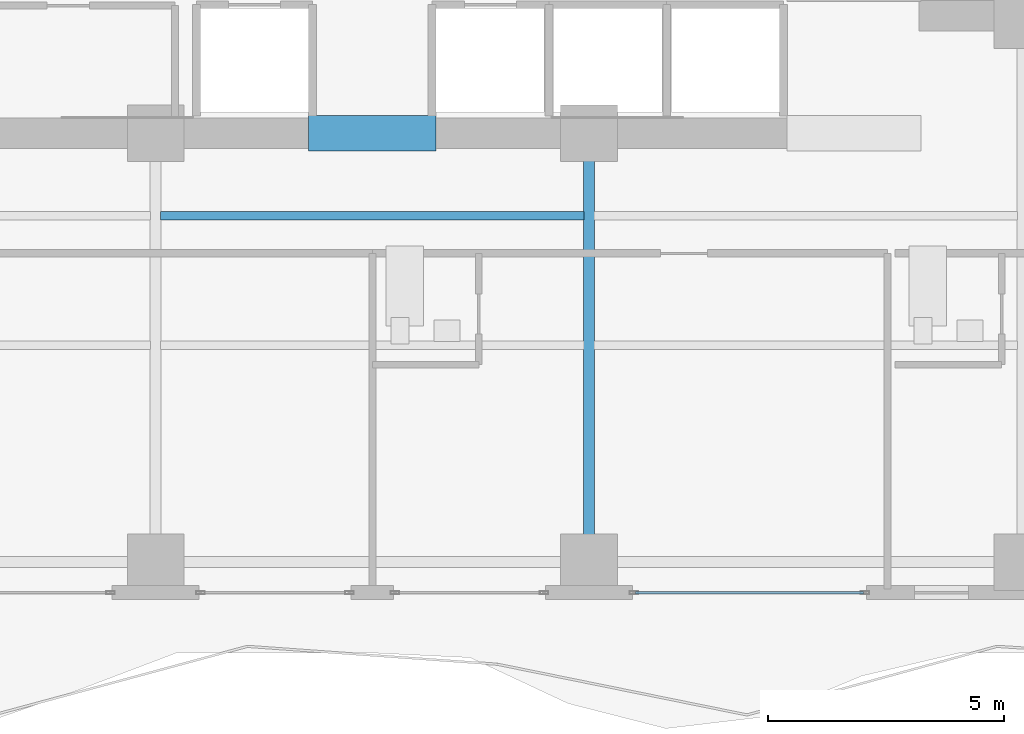
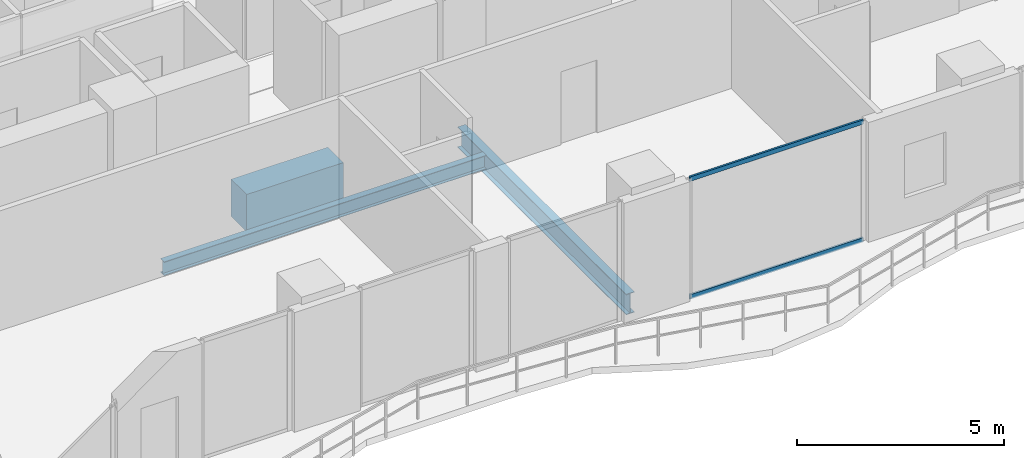
# One storey, part 7 of 32: 3 beams, 2 members, 1 element without a shape of its own.
"""IFC4 building model written with IfcOpenShell, lengths in metres."""

from ifc_helpers import new_model, si_unit, direction, frame, origin, origin_2d, place, context, subcontext, project, spatial, rectangle, hollow_rectangle, i_section, extrude, material, layer, layer_set, material_profile, profile_set, type_object, element, aggregate, save


model = new_model("IFC4")

# Units and contexts
model_context = context("Model", 3, precision=1e-05, world=origin(), true_north=direction((0.0, 1.0)))
body_context = subcontext(model_context, "Body", "Model", "MODEL_VIEW")
ifc_project = project(units=[si_unit("LENGTHUNIT", "METRE"), si_unit("AREAUNIT", "SQUARE_METRE"), si_unit("VOLUMEUNIT", "CUBIC_METRE"), si_unit("PLANEANGLEUNIT", "RADIAN"), si_unit("MASSUNIT", "GRAM", prefix="KILO")], contexts=[model_context])

# Site, building, storey
site_placement = place(None, origin())
site = spatial("IfcSite", under=ifc_project, at=site_placement, CompositionType="ELEMENT")
building_placement = place(site_placement, origin())
building = spatial("IfcBuilding", under=site, at=building_placement, Name="Zuhayl Quay Hotel", CompositionType="ELEMENT")
storey_placement = place(building_placement, frame((0.0, 0.0, 218.64990234375)))
storey = spatial("IfcBuildingStorey", under=building, at=storey_placement, Name="L55", CompositionType="ELEMENT", Elevation=218.64990234375)

# Beams
ifc_material_1 = material(Name="Steel ASTM A992 Grade 50", Category="steel")
ifc_material_profile_1 = material_profile(ifc_material_1, i_section(OverallWidth=0.22802734375, OverallDepth=0.60693359375, WebThickness=0.01123046875, FlangeThickness=0.017333984375, at=origin_2d()), Name="W24X76")
ifc_profile_set_1 = profile_set([ifc_material_profile_1], Name="Steel ASTM A992 Grade 50")
beam_type_1 = type_object("IfcBeamType", Name="BM_B3_W24X76", PredefinedType="BEAM", material=ifc_profile_set_1)
beam_1_placement = place(storey_placement, frame((4.60009765625, -6.449951171875, -0.5234375), z_axis=(0.0, 1.0, 0.0), x_axis=(-1.0, 0.0, 0.0)))
element("IfcBeam", 1, at=beam_1_placement, inside=storey, type_object=beam_type_1, Name="L55 Floor Beam FG_S_L55_3", PredefinedType="BEAM", context=body_context, shape_type="SweptSolid", body=[
    extrude(i_section(OverallWidth=0.22802734375, OverallDepth=0.60693359375, WebThickness=0.01123046875, FlangeThickness=0.017333984375, at=origin_2d()), origin(), (0.0, 0.0, 1.0), 8.14990234375),
])
ifc_material_2 = material(Name="Concrete C60/75", Category="concrete")
ifc_material_profile_2 = material_profile(ifc_material_2, rectangle(XDim=0.75, YDim=1.10009765625, at=origin_2d()), Name="RC750X1100")
ifc_profile_set_2 = profile_set([ifc_material_profile_2], Name="Concrete C60/75")
beam_type_2 = type_object("IfcBeamType", Name="BM_CB2_RC750", PredefinedType="T_BEAM", material=ifc_profile_set_2)
beam_2_placement = place(storey_placement, frame((-1.35009765625, 2.14990234375, -0.77001953125), z_axis=(1.0, 0.0, 0.0), x_axis=(0.0, 1.0, 0.0)))
element("IfcBeam", 2, at=beam_2_placement, inside=storey, type_object=beam_type_2, Name="L55 Core Coupling Beam South", PredefinedType="T_BEAM", context=body_context, shape_type="SweptSolid", body=[
    extrude(rectangle(XDim=0.75, YDim=1.10009765625, at=origin_2d()), origin(), (0.0, 0.0, 1.0), 2.7001953125),
])
ifc_material_profile_3 = material_profile(ifc_material_1, i_section(OverallWidth=0.177978515625, OverallDepth=0.406005859375, WebThickness=0.0078125, FlangeThickness=0.0126953125, at=origin_2d()), Name="W16X40")
ifc_profile_set_3 = profile_set([ifc_material_profile_3], Name="Steel ASTM A992 Grade 50")
beam_type_3 = type_object("IfcBeamType", Name="BM_J2B_W16X40", PredefinedType="JOIST", material=ifc_profile_set_3)
beam_3_placement = place(storey_placement, frame((-4.493896484375, 0.39990234375, -0.4228515625), z_axis=(1.0, 0.0, 0.0), x_axis=(0.0, 1.0, 0.0)))
element("IfcBeam", 3, at=beam_3_placement, inside=storey, type_object=beam_type_3, Name="L55 Floor Beam FJ_L55_8_2", PredefinedType="JOIST", context=body_context, shape_type="SweptSolid", body=[
    extrude(i_section(OverallWidth=0.177978515625, OverallDepth=0.406005859375, WebThickness=0.0078125, FlangeThickness=0.0126953125, at=origin_2d()), origin(), (0.0, 0.0, 1.0), 8.98779296875),
])

# Curtain wall, members
ifc_material_3 = material(Name="Anodised Aluminium 6063-T6", Category="aluminium")
ifc_layer = layer(ifc_material_3, 0.175048828125, Name="Anodised Aluminium 6063-T6", Category="aluminium")
ifc_layer_set = layer_set([ifc_layer], Name="Anodised Aluminium 6063-T6")
curtain_wall_type = type_object("IfcCurtainWallType", Name="CW_SYS_Z3", PredefinedType="USERDEFINED", material=ifc_layer_set)
curtain_wall_placement = place(storey_placement, origin())
curtain_wall = element("IfcCurtainWall", 4, at=curtain_wall_placement, inside=storey, type_object=curtain_wall_type, Name="L55 Curtain Wall ENV_L55_S_CW2", ObjectType="UNITISED CURTAIN WALL", PredefinedType="USERDEFINED")
ifc_material_4 = material(Name="Black-anodised aluminium 6063-T6", Category="aluminium")
ifc_material_profile_4 = material_profile(ifc_material_4, hollow_rectangle(XDim=0.054931640625, YDim=0.1298828125, WallThickness=0.0029296875, at=origin_2d()), Name="ALU130X55")
ifc_profile_set_4 = profile_set([ifc_material_profile_4], Name="Black-anodised aluminium 6063-T6")
member_type = type_object("IfcMemberType", Name="MB_CW_TRN_130", PredefinedType="USERDEFINED", material=ifc_profile_set_4)
member_1_placement = place(storey_placement, frame((10.425048828125, -7.60009765625, 0.027587890625), z_axis=(-1.0, 0.0, 0.0), x_axis=(0.0, -1.0, 0.0)))
member_1 = element("IfcMember", 5, at=member_1_placement, type_object=member_type, Name="CW-Z3 transom 1.1", ObjectType="TRANSOM", PredefinedType="USERDEFINED", context=body_context, shape_type="SweptSolid", body=[
    extrude(hollow_rectangle(XDim=0.054931640625, YDim=0.1298828125, WallThickness=0.0029296875, at=origin_2d()), origin(), (0.0, 0.0, 1.0), 4.840087890625),
])
member_2_placement = place(storey_placement, frame((10.425048828125, -7.60009765625, 3.502685546875), z_axis=(-1.0, 0.0, 0.0), x_axis=(0.0, -1.0, 0.0)))
member_2 = element("IfcMember", 6, at=member_2_placement, type_object=member_type, Name="CW-Z3 transom 1.2", ObjectType="TRANSOM", PredefinedType="USERDEFINED", context=body_context, shape_type="SweptSolid", body=[
    extrude(hollow_rectangle(XDim=0.054931640625, YDim=0.1298828125, WallThickness=0.0029296875, at=origin_2d()), origin(), (0.0, 0.0, 1.0), 4.840087890625),
])
aggregate(curtain_wall, [member_1, member_2])

save(model, "model.ifc")
